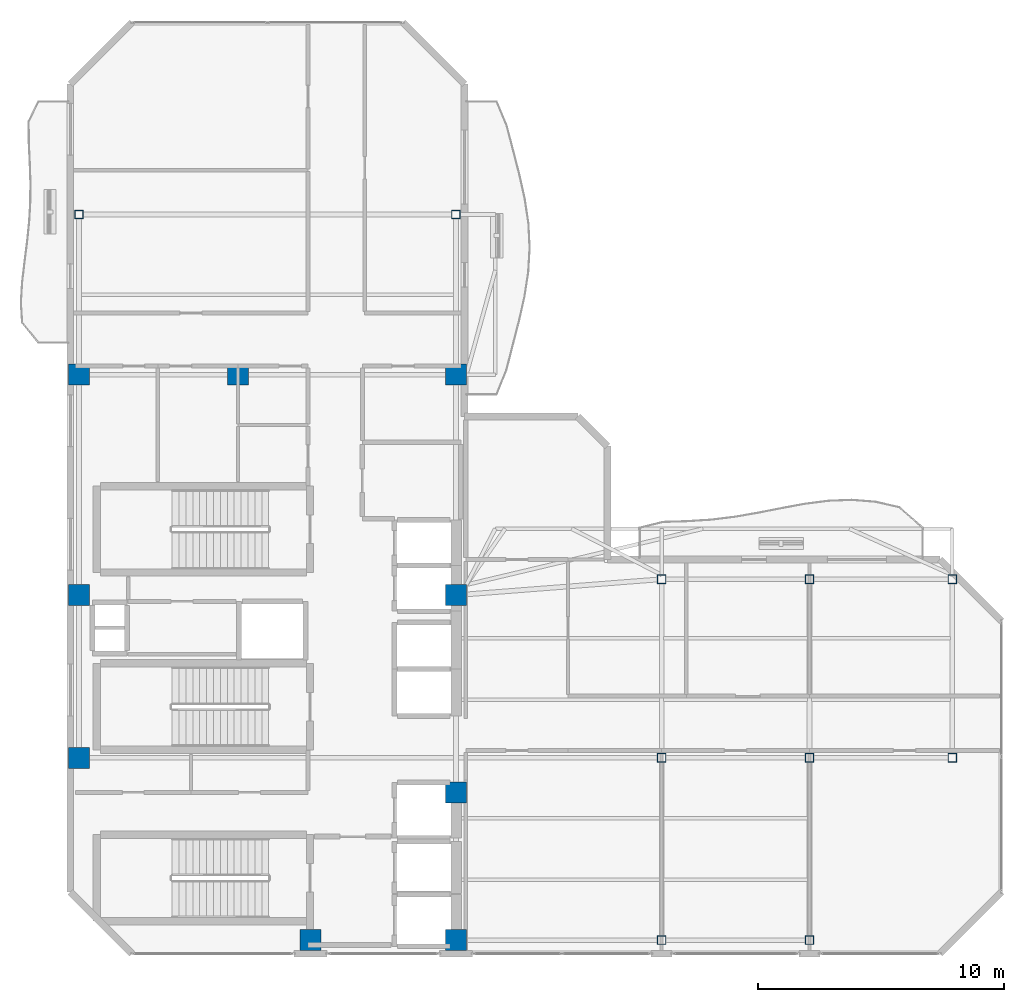
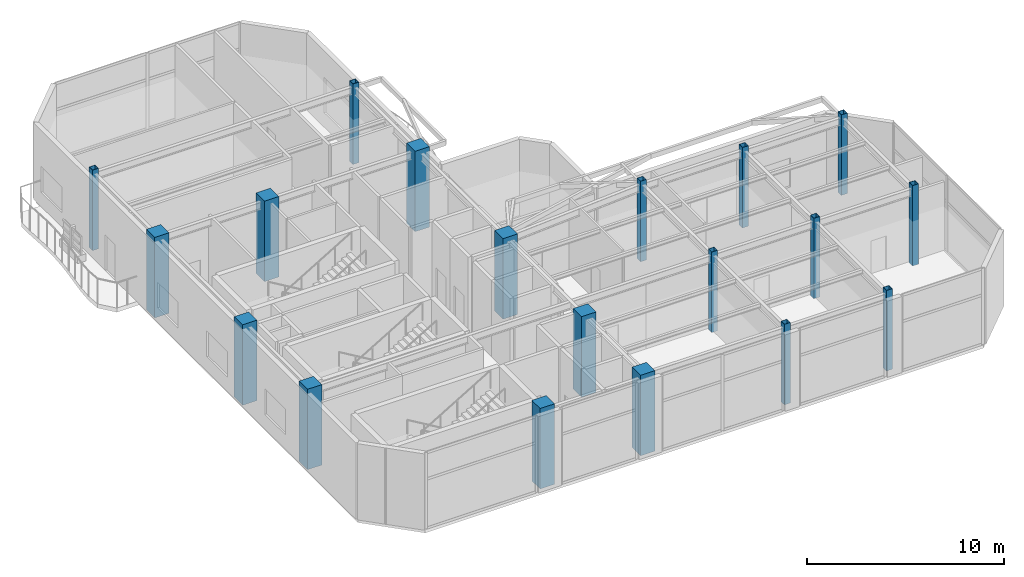
# One storey, part 1 of 15: 19 columns.
"""IFC4 building model written with IfcOpenShell, lengths in metres."""

from ifc_helpers import new_model, si_unit, direction, frame, origin, origin_2d, place, context, subcontext, project, spatial, rectangle, hollow_rectangle, extrude, material, material_profile, profile_set, type_object, element, save


model = new_model("IFC4")

# Units and contexts
model_context = context("Model", 3, precision=1e-05, world=origin(), true_north=direction((0.0, 1.0)))
body_context = subcontext(model_context, "Body", "Model", "MODEL_VIEW")
ifc_project = project(units=[si_unit("LENGTHUNIT", "METRE"), si_unit("AREAUNIT", "SQUARE_METRE"), si_unit("VOLUMEUNIT", "CUBIC_METRE"), si_unit("PLANEANGLEUNIT", "RADIAN"), si_unit("MASSUNIT", "GRAM", prefix="KILO")], contexts=[model_context])

# Site, building, storey
site_placement = place(None, origin())
site = spatial("IfcSite", under=ifc_project, at=site_placement, CompositionType="ELEMENT")
building_placement = place(site_placement, origin())
building = spatial("IfcBuilding", under=site, at=building_placement, Name="Mawjaban Terraces University", CompositionType="ELEMENT")
storey_placement = place(building_placement, frame((0.0, 0.0, 306.699951171875)))
storey = spatial("IfcBuildingStorey", under=building, at=storey_placement, Name="L75", CompositionType="ELEMENT", Elevation=306.699951171875)

# Columns
ifc_material_1 = material(Name="Concrete C50/60", Category="concrete")
ifc_material_profile_1 = material_profile(ifc_material_1, rectangle(XDim=0.85009765625, YDim=0.85009765625, at=origin_2d()), Name="RC850X850")
ifc_profile_set_1 = profile_set([ifc_material_profile_1], Name="Concrete C50/60")
column_type_1 = type_object("IfcColumnType", Name="Col_RC850X850", PredefinedType="COLUMN", material=ifc_profile_set_1)
for number, where, z_axis, x_axis, name in (
    (1, (31.75, 0.550048828125, 0.0), (0.0, 0.0, 1.0), (1.0, 0.0, 0.0), "L75 Column CC2"),
    (2, (37.64990234375, 0.550048828125, 0.0), (0.0, 0.0, 1.0), (1.0, 0.0, 0.0), "L75 Column CC3"),
    (3, (22.35009765625, 7.949951171875, 0.0), (0.0, 0.0, 1.0), (1.0, 0.0, 0.0), "L75 Column CC4"),
    (4, (37.64990234375, 6.550048828125, 0.0), (0.0, 0.0, 1.0), (1.0, 0.0, 0.0), "L75 Column CC5"),
    (5, (22.35009765625, 14.550048828125, 0.0), (0.0, 0.0, 1.0), (1.0, 0.0, 0.0), "L75 Column CC6"),
    (6, (37.64990234375, 14.550048828125, 0.0), (0.0, 0.0, 1.0), (1.0, 0.0, 0.0), "L75 Column CC7"),
    (7, (22.35009765625, 23.5, 0.0), (0.0, 0.0, 1.0), (1.0, 0.0, 0.0), "L75 Column CC8"),
    (8, (28.800048828125, 23.5, 0.0), (0.0, 0.0, 1.0), (1.0, 0.0, 0.0), "L75 Column CC9"),
    (9, (37.64990234375, 23.5, 0.0), (0.0, 0.0, 1.0), (1.0, 0.0, 0.0), "L75 Column CC10"),
):
    element("IfcColumn", number, at=place(storey_placement, frame(where, z_axis=z_axis, x_axis=x_axis)), inside=storey, type_object=column_type_1, Name=name, PredefinedType="COLUMN", context=body_context, shape_type="SweptSolid", body=[
        extrude(rectangle(XDim=0.85009765625, YDim=0.85009765625, at=origin_2d()), origin(), (0.0, 0.0, 1.0), 5.0),
    ])
ifc_material_2 = material(Name="Steel EN 10210-1 S355J2H", Category="steel")
ifc_material_profile_2 = material_profile(ifc_material_2, hollow_rectangle(XDim=0.35009765625, YDim=0.35009765625, WallThickness=0.01611328125, at=origin_2d()), Name="SHS350X350X16")
ifc_profile_set_2 = profile_set([ifc_material_profile_2], Name="Steel EN 10210-1 S355J2H")
column_type_2 = type_object("IfcColumnType", Name="Col_SHS350X350X16", PredefinedType="COLUMN", material=ifc_profile_set_2)
for number, where, z_axis, x_axis, name in (
    (10, (46.0, 0.550048828125, 0.0), (0.0, 0.0, 1.0), (1.0, 0.0, 0.0), "L75 Column TE-460-005"),
    (11, (46.0, 7.949951171875, 0.0), (0.0, 0.0, 1.0), (1.0, 0.0, 0.0), "L75 Column TE-460-080"),
    (12, (46.0, 15.199951171875, 0.0), (0.0, 0.0, 1.0), (1.0, 0.0, 0.0), "L75 Column TE-460-152"),
    (13, (52.0, 0.550048828125, 0.0), (0.0, 0.0, 1.0), (1.0, 0.0, 0.0), "L75 Column TE-520-005"),
    (14, (52.0, 7.949951171875, 0.0), (0.0, 0.0, 1.0), (1.0, 0.0, 0.0), "L75 Column TE-520-080"),
    (15, (52.0, 15.199951171875, 0.0), (0.0, 0.0, 1.0), (1.0, 0.0, 0.0), "L75 Column TE-520-152"),
    (16, (57.800048828125, 7.949951171875, 0.0), (0.0, 0.0, 1.0), (1.0, 0.0, 0.0), "L75 Column TE-578-080"),
    (17, (57.800048828125, 15.199951171875, 0.0), (0.0, 0.0, 1.0), (1.0, 0.0, 0.0), "L75 Column TE-578-152"),
    (18, (22.35009765625, 30.0, 0.0), (0.0, 0.0, 1.0), (1.0, 0.0, 0.0), "L75 Column TN-223-300"),
    (19, (37.64990234375, 30.0, 0.0), (0.0, 0.0, 1.0), (1.0, 0.0, 0.0), "L75 Column TN-376-300"),
):
    element("IfcColumn", number, at=place(storey_placement, frame(where, z_axis=z_axis, x_axis=x_axis)), inside=storey, type_object=column_type_2, Name=name, PredefinedType="COLUMN", context=body_context, shape_type="SweptSolid", body=[
        extrude(hollow_rectangle(XDim=0.35009765625, YDim=0.35009765625, WallThickness=0.01611328125, at=origin_2d()), origin(), (0.0, 0.0, 1.0), 5.0),
    ])

save(model, "model.ifc")
